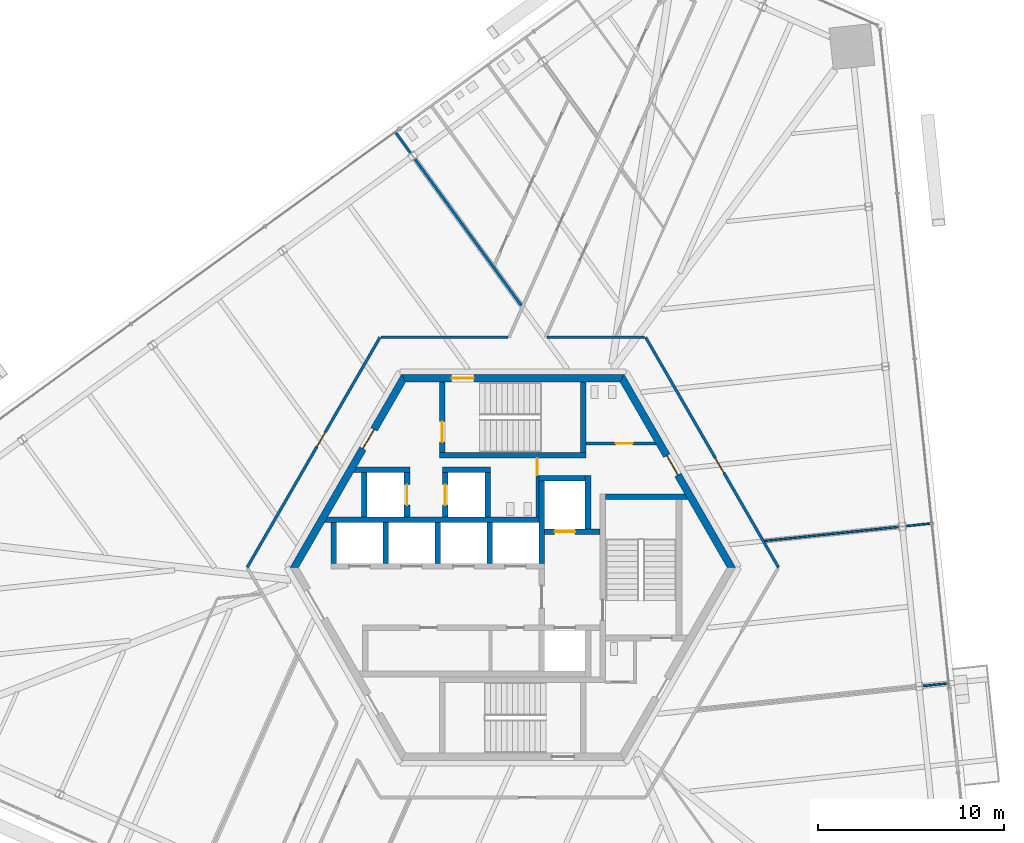
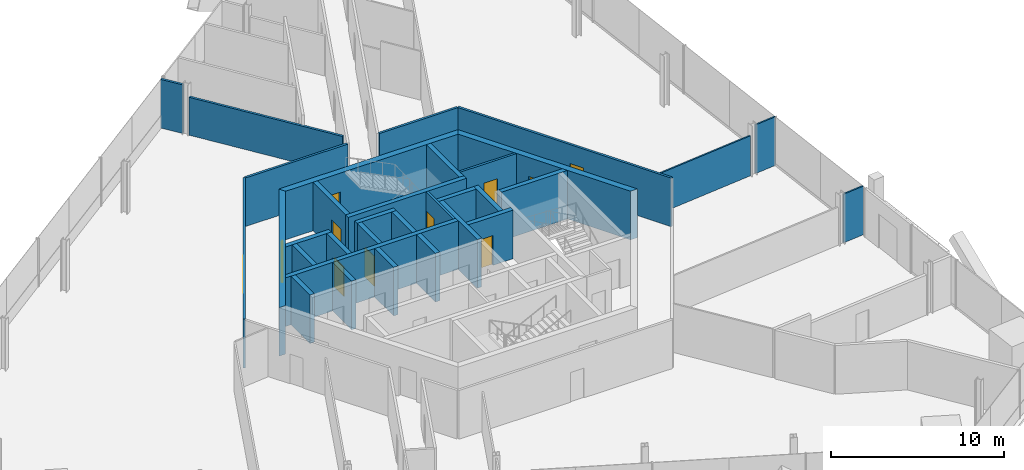
# One storey, part 12 of 17: 33 walls, 11 doors, 11 openings.
"""IFC4 building model written with IfcOpenShell, lengths in metres."""

from ifc_helpers import new_model, si_unit, direction, frame, frame_2d, origin, place, context, subcontext, project, spatial, polyline, rectangle, outline, extrude, source, transform, mapped, material, layer, layer_set, type_object, element, fill, save


model = new_model("IFC4")

# Units and contexts
model_context = context("Model", 3, precision=1e-05, world=origin(), true_north=direction((0.0, 1.0)))
body_context = subcontext(model_context, "Body", "Model", "MODEL_VIEW")
ifc_project = project(units=[si_unit("LENGTHUNIT", "METRE"), si_unit("AREAUNIT", "SQUARE_METRE"), si_unit("VOLUMEUNIT", "CUBIC_METRE"), si_unit("PLANEANGLEUNIT", "RADIAN"), si_unit("MASSUNIT", "GRAM", prefix="KILO")], contexts=[model_context])

# Site, building, storey
site_placement = place(None, origin())
site = spatial("IfcSite", under=ifc_project, at=site_placement, CompositionType="ELEMENT")
building_placement = place(site_placement, origin())
building = spatial("IfcBuilding", under=site, at=building_placement, Name="Triune Harvest Tower", CompositionType="ELEMENT")
storey_placement = place(building_placement, frame((0.0, 0.0, 62.10009765625)))
storey = spatial("IfcBuildingStorey", under=building, at=storey_placement, Name="L14", CompositionType="ELEMENT", Elevation=62.10009765625)

# Walls
ifc_material_1 = material(Name="Gypsum board on steel studs", Category="steel")
ifc_layer_1 = layer(ifc_material_1, 0.14990234375)
ifc_layer_set_1 = layer_set([ifc_layer_1], Name="Gypsum board on steel studs")
wall_type_1 = type_object("IfcWallType", Name="Fire Partition 150 mm", PredefinedType="PARTITIONING", material=ifc_layer_set_1)
wall_1_placement = place(storey_placement, frame((-5.2802734375, 22.004638671875, 0.0), z_axis=(0.0, 0.0, 1.0), x_axis=(0.587784693137, -0.809017400625, 0.0)))
element("IfcWall", 1, at=wall_1_placement, inside=storey, type_object=wall_type_1, Name="Partition L14 008", PredefinedType="PARTITIONING", context=body_context, shape_type="SweptSolid", body=[
    extrude(rectangle(XDim=9.754150390625, YDim=0.14990234375, at=frame_2d((4.876953125, 0.0))), origin(), (0.0, 0.0, 1.0), 2.682861328125),
])
wall_2_placement = place(storey_placement, frame((1.851806640625, 12.392333984375, 0.0), z_axis=(0.0, 0.0, 1.0), x_axis=(1.0, 0.0, 0.0)))
element("IfcWall", 2, at=wall_2_placement, inside=storey, type_object=wall_type_1, Name="Partition L14 021", PredefinedType="PARTITIONING", context=body_context, shape_type="SweptSolid", body=[
    extrude(rectangle(XDim=5.2529296875, YDim=0.14990234375, at=frame_2d((2.62646484375, 0.0))), origin(), (0.0, 0.0, 1.0), 3.43994140625),
])

# Wall, opening, door
ifc_material_2 = material(Name="Concrete 70 MPa", Category="concrete")
ifc_layer_2 = layer(ifc_material_2, 0.39990234375)
ifc_layer_set_2 = layer_set([ifc_layer_2], Name="Concrete 70 MPa")
wall_type_2 = type_object("IfcWallType", Name="Core wall 400", PredefinedType="SHEAR", material=ifc_layer_set_2)
shared_shape_1 = source(origin(), body_context, "Body", "SweptSolid", [
    extrude(outline(polyline([(-0.115478515625, -0.199951171875), (11.884521484375, -0.199951171875), (11.653564453125, 0.199951171875), (0.115478515625, 0.199951171875), (-0.115478515625, -0.199951171875)])), origin(), (0.0, 0.0, 1.0), 3.43994140625),
])
wall_3_placement = place(storey_placement, frame((11.76904296875, 0.0, 0.0), z_axis=(0.0, 0.0, 1.0), x_axis=(-0.499996592174, 0.866027371285, 0.0)))
wall_3 = element("IfcWall", 3, at=wall_3_placement, inside=storey, type_object=wall_type_2, Name="Hexagon 0 wall", PredefinedType="SHEAR", context=body_context, shape_type="MappedRepresentation", body=[
    mapped(shared_shape_1, transform((0.0, 0.0, 0.0), scale=1.0)),
])
opening_1_placement = place(wall_3_placement, frame((5.75048828125, 0.0, 0.0)))
opening_1 = element("IfcOpeningElement", 4, at=opening_1_placement, cuts=wall_3, Name="Opening CD-WCP", PredefinedType="OPENING", context=body_context, shape_type="SweptSolid", body=[
    extrude(rectangle(XDim=1.199951171875, YDim=2.10009765625, at=frame_2d((0.60009765625, 1.050048828125))), frame((0.0, 0.2099609375, 0.0), z_axis=(0.0, -1.0, 0.0), x_axis=(1.0, 0.0, 0.0)), (0.0, 0.0, 1.0), 0.419921875),
])
ifc_material_3 = material(Name="Steel S235", Category="steel")
door_type_1 = type_object("IfcDoorType", Name="Lobby door 1200 FD120", OperationType="SINGLE_SWING_LEFT", PredefinedType="DOOR", material=ifc_material_3)
door_1_placement = place(opening_1_placement, frame((1.199951171875, 0.0, 0.0), z_axis=(0.0, 0.0, 1.0), x_axis=(-1.0, 0.0, 0.0)))
door_1 = element("IfcDoor", 5, at=door_1_placement, inside=storey, type_object=door_type_1, Name="Door CD-WCP", OperationType="SINGLE_SWING_RIGHT", OverallHeight=2.10009765625, OverallWidth=1.199951171875, PredefinedType="DOOR", context=body_context, shape_type="SweptSolid", body=[
    extrude(rectangle(XDim=1.199951171875, YDim=2.10009765625, at=frame_2d((0.60009765625, 1.050048828125))), frame((0.0, 0.02490234375, 0.0), z_axis=(0.0, -1.0, 0.0), x_axis=(1.0, 0.0, 0.0)), (0.0, 0.0, 1.0), 0.050048828125),
])
fill(opening_1, door_1)

wall_4_placement = place(storey_placement, frame((5.884521484375, 10.1923828125, 0.0), z_axis=(0.0, 0.0, 1.0), x_axis=(-1.0, 0.0, 0.0)))
wall_4 = element("IfcWall", 6, at=wall_4_placement, inside=storey, type_object=wall_type_2, Name="Hexagon 1 wall", PredefinedType="SHEAR", context=body_context, shape_type="MappedRepresentation", body=[
    mapped(shared_shape_1, transform((0.0, 0.0, 0.0), scale=1.0)),
])
opening_2_placement = place(wall_4_placement, frame((7.984619140625, 0.0, 0.0)))
opening_2 = element("IfcOpeningElement", 7, at=opening_2_placement, cuts=wall_4, Name="Opening CD-S1P", PredefinedType="OPENING", context=body_context, shape_type="SweptSolid", body=[
    extrude(rectangle(XDim=1.199951171875, YDim=2.10009765625, at=frame_2d((0.60009765625, 1.050048828125))), frame((0.0, 0.2099609375, 0.0), z_axis=(0.0, -1.0, 0.0), x_axis=(1.0, 0.0, 0.0)), (0.0, 0.0, 1.0), 0.419921875),
])
ifc_material_4 = material(Name="Steel S235", Category="steel")
door_type_2 = type_object("IfcDoorType", Name="Stair door 1200 FD120", OperationType="SINGLE_SWING_LEFT", PredefinedType="DOOR", material=ifc_material_4)
door_2_placement = place(opening_2_placement, frame((1.199951171875, 0.0, 0.0), z_axis=(0.0, 0.0, 1.0), x_axis=(-1.0, 0.0, 0.0)))
door_2 = element("IfcDoor", 8, at=door_2_placement, inside=storey, type_object=door_type_2, Name="Door CD-S1P", OperationType="SINGLE_SWING_RIGHT", OverallHeight=2.10009765625, OverallWidth=1.199951171875, PredefinedType="DOOR", context=body_context, shape_type="SweptSolid", body=[
    extrude(rectangle(XDim=1.199951171875, YDim=2.10009765625, at=frame_2d((0.60009765625, 1.050048828125))), frame((0.0, 0.02490234375, 0.0), z_axis=(0.0, -1.0, 0.0), x_axis=(1.0, 0.0, 0.0)), (0.0, 0.0, 1.0), 0.050048828125),
])
fill(opening_2, door_2)

wall_5_placement = place(storey_placement, frame((-5.884521484375, 10.1923828125, 0.0), z_axis=(0.0, 0.0, 1.0), x_axis=(-0.499996592174, -0.866027371285, 0.0)))
wall_5 = element("IfcWall", 9, at=wall_5_placement, inside=storey, type_object=wall_type_2, Name="Hexagon 2 wall", PredefinedType="SHEAR", context=body_context, shape_type="MappedRepresentation", body=[
    mapped(shared_shape_1, transform((0.0, 0.0, 0.0), scale=1.0)),
])
opening_3_placement = place(wall_5_placement, frame((3.1845703125, 0.0, 0.0)))
opening_3 = element("IfcOpeningElement", 10, at=opening_3_placement, cuts=wall_5, Name="Opening CD-SVP", PredefinedType="OPENING", context=body_context, shape_type="SweptSolid", body=[
    extrude(rectangle(XDim=1.199951171875, YDim=2.10009765625, at=frame_2d((0.60009765625, 1.050048828125))), frame((0.0, 0.2099609375, 0.0), z_axis=(0.0, -1.0, 0.0), x_axis=(1.0, 0.0, 0.0)), (0.0, 0.0, 1.0), 0.419921875),
])
ifc_material_5 = material(Name="Steel S235", Category="steel")
door_type_3 = type_object("IfcDoorType", Name="Service door 1200 FD120", OperationType="SINGLE_SWING_LEFT", PredefinedType="DOOR", material=ifc_material_5)
door_3_placement = place(opening_3_placement, frame((1.199951171875, 0.0, 0.0), z_axis=(0.0, 0.0, 1.0), x_axis=(-1.0, 0.0, 0.0)))
door_3 = element("IfcDoor", 11, at=door_3_placement, inside=storey, type_object=door_type_3, Name="Door CD-SVP", OperationType="SINGLE_SWING_RIGHT", OverallHeight=2.10009765625, OverallWidth=1.199951171875, PredefinedType="DOOR", context=body_context, shape_type="SweptSolid", body=[
    extrude(rectangle(XDim=1.199951171875, YDim=2.10009765625, at=frame_2d((0.60009765625, 1.050048828125))), frame((0.0, 0.02490234375, 0.0), z_axis=(0.0, -1.0, 0.0), x_axis=(1.0, 0.0, 0.0)), (0.0, 0.0, 1.0), 0.050048828125),
])
fill(opening_3, door_3)

# Walls
ifc_material_6 = material(Name="Concrete 70 MPa", Category="concrete")
ifc_layer_3 = layer(ifc_material_6, 0.300048828125)
ifc_layer_set_3 = layer_set([ifc_layer_3], Name="Concrete 70 MPa")
wall_type_3 = type_object("IfcWallType", Name="Core wall 300", PredefinedType="SHEAR", material=ifc_layer_set_3)
shared_shape_2 = source(origin(), body_context, "Body", "SweptSolid", [
    extrude(outline(polyline([(11.199951171875, -0.14990234375), (-0.34912109375, -0.14990234375), (-0.17578125, 0.14990234375), (11.199951171875, 0.14990234375), (11.199951171875, -0.14990234375)])), origin(), (0.0, 0.0, 1.0), 3.43994140625),
])
wall_6_placement = place(storey_placement, frame((-9.800048828125, 2.56005859375, 0.0), z_axis=(0.0, 0.0, 1.0), x_axis=(1.0, 0.0, 0.0)))
element("IfcWall", 12, at=wall_6_placement, inside=storey, type_object=wall_type_3, Name="North back wall", PredefinedType="SHEAR", context=body_context, shape_type="MappedRepresentation", body=[
    mapped(shared_shape_2, transform((0.0, 0.0, 0.0), scale=1.0)),
])
shared_shape_3 = source(origin(), body_context, "Body", "SweptSolid", [
    extrude(rectangle(XDim=2.5, YDim=0.300048828125, at=frame_2d((1.25, 0.0))), origin(), (0.0, 0.0, 1.0), 3.43994140625),
])
wall_7_placement = place(storey_placement, frame((1.39990234375, 4.81005859375, 0.0), z_axis=(0.0, 0.0, 1.0), x_axis=(1.0, 0.0, 0.0)))
element("IfcWall", 13, at=wall_7_placement, inside=storey, type_object=wall_type_3, Name="Ff1 back wall", PredefinedType="SHEAR", context=body_context, shape_type="MappedRepresentation", body=[
    mapped(shared_shape_3, transform((0.0, 0.0, 0.0), scale=1.0)),
])
shared_shape_4 = source(origin(), body_context, "Body", "SweptSolid", [
    extrude(rectangle(XDim=4.449951171875, YDim=0.300048828125, at=frame_2d((2.22509765625, 0.0))), origin(), (0.0, 0.0, 1.0), 3.43994140625),
])
wall_8_placement = place(storey_placement, frame((1.550048828125, 0.2099609375, 0.0), z_axis=(0.0, 0.0, 1.0), x_axis=(0.0, 1.0, 0.0)))
element("IfcWall", 14, at=wall_8_placement, inside=storey, type_object=wall_type_3, Name="Ff1 west wall", PredefinedType="SHEAR", context=body_context, shape_type="MappedRepresentation", body=[
    mapped(shared_shape_4, transform((0.0, 0.0, 0.0), scale=1.0)),
])

# Wall, opening, door
shared_shape_5 = source(origin(), body_context, "Body", "SweptSolid", [
    extrude(rectangle(XDim=3.0, YDim=0.300048828125, at=frame_2d((1.5, 0.0))), origin(), (0.0, 0.0, 1.0), 3.43994140625),
])
wall_9_placement = place(storey_placement, frame((1.699951171875, 1.909912109375, 0.0), z_axis=(0.0, 0.0, 1.0), x_axis=(1.0, 0.0, 0.0)))
wall_9 = element("IfcWall", 15, at=wall_9_placement, inside=storey, type_object=wall_type_3, Name="Ff1 front wall", PredefinedType="SHEAR", context=body_context, shape_type="MappedRepresentation", body=[
    mapped(shared_shape_5, transform((0.0, 0.0, 0.0), scale=1.0)),
])
opening_4_placement = place(wall_9_placement, frame((0.550048828125, 0.0, 0.0)))
opening_4 = element("IfcOpeningElement", 16, at=opening_4_placement, cuts=wall_9, Name="Opening LD-FF1-14", PredefinedType="OPENING", context=body_context, shape_type="SweptSolid", body=[
    extrude(rectangle(XDim=1.10009765625, YDim=2.10009765625, at=frame_2d((0.550048828125, 1.050048828125))), frame((0.0, 0.16015625, 0.0), z_axis=(0.0, -1.0, 0.0), x_axis=(1.0, 0.0, 0.0)), (0.0, 0.0, 1.0), 0.320068359375),
])
ifc_material_7 = material(Name="Stainless steel AISI 304", Category="steel")
door_type_4 = type_object("IfcDoorType", Name="Landing door 1100 x 2100", OperationType="DOUBLE_DOOR_SLIDING", PredefinedType="DOOR", material=ifc_material_7)
door_4_placement = place(opening_4_placement, origin())
door_4 = element("IfcDoor", 17, at=door_4_placement, inside=storey, type_object=door_type_4, Name="Door LD-FF1-14", OperationType="DOUBLE_DOOR_SLIDING", OverallHeight=2.10009765625, OverallWidth=1.10009765625, PredefinedType="DOOR", context=body_context, shape_type="SweptSolid", body=[
    extrude(rectangle(XDim=1.10009765625, YDim=2.10009765625, at=frame_2d((0.550048828125, 1.050048828125))), frame((0.0, 0.02490234375, 0.0), z_axis=(0.0, -1.0, 0.0), x_axis=(1.0, 0.0, 0.0)), (0.0, 0.0, 1.0), 0.050048828125),
])
fill(opening_4, door_4)

# Walls
shared_shape_6 = source(origin(), body_context, "Body", "SweptSolid", [
    extrude(rectangle(XDim=2.89990234375, YDim=0.300048828125, at=frame_2d((1.449951171875, 0.0))), origin(), (0.0, 0.0, 1.0), 3.43994140625),
])
wall_10_placement = place(storey_placement, frame((4.050048828125, 2.06005859375, 0.0), z_axis=(0.0, 0.0, 1.0), x_axis=(0.0, 1.0, 0.0)))
element("IfcWall", 18, at=wall_10_placement, inside=storey, type_object=wall_type_3, Name="Ff1 east wall", PredefinedType="SHEAR", context=body_context, shape_type="MappedRepresentation", body=[
    mapped(shared_shape_6, transform((0.0, 0.0, 0.0), scale=1.0)),
])
shared_shape_7 = source(origin(), body_context, "Body", "SweptSolid", [
    extrude(rectangle(XDim=2.199951171875, YDim=0.300048828125, at=frame_2d((1.10009765625, 0.0))), origin(), (0.0, 0.0, 1.0), 3.43994140625),
])
for number, where, z_axis, x_axis, name in (
    (19, (-9.64990234375, 0.2099609375, 0.0), (0.0, 0.0, 1.0), (0.0, 1.0, 0.0), "North end west wall"),
    (20, (-6.85009765625, 0.2099609375, 0.0), (0.0, 0.0, 1.0), (0.0, 1.0, 0.0), "North cross 1 wall"),
    (21, (-4.050048828125, 0.2099609375, 0.0), (0.0, 0.0, 1.0), (0.0, 1.0, 0.0), "North cross 2 wall"),
    (22, (-1.25, 0.2099609375, 0.0), (0.0, 0.0, 1.0), (0.0, 1.0, 0.0), "North cross 3 wall"),
):
    element("IfcWall", number, at=place(storey_placement, frame(where, z_axis=z_axis, x_axis=x_axis)), inside=storey, type_object=wall_type_3, Name=name, PredefinedType="SHEAR", context=body_context, shape_type="MappedRepresentation", body=[
        mapped(shared_shape_7, transform((0.0, 0.0, 0.0), scale=1.0)),
    ])
shared_shape_8 = source(origin(), body_context, "Body", "SweptSolid", [
    extrude(outline(polyline([(0.0, -0.14990234375), (0.0, 0.14990234375), (4.260009765625, 0.14990234375), (4.43310546875, -0.14990234375), (0.0, -0.14990234375)])), origin(), (0.0, 0.0, 1.0), 3.43994140625),
])
wall_11_placement = place(storey_placement, frame((5.0, 3.800048828125, 0.0), z_axis=(0.0, 0.0, 1.0), x_axis=(1.0, 0.0, 0.0)))
element("IfcWall", 23, at=wall_11_placement, inside=storey, type_object=wall_type_3, Name="Stair e north wall", PredefinedType="SHEAR", context=body_context, shape_type="MappedRepresentation", body=[
    mapped(shared_shape_8, transform((0.0, 0.0, 0.0), scale=1.0)),
])
shared_shape_9 = source(origin(), body_context, "Body", "SweptSolid", [
    extrude(rectangle(XDim=7.89990234375, YDim=0.300048828125, at=frame_2d((3.949951171875, 0.0))), origin(), (0.0, 0.0, 1.0), 3.43994140625),
])
wall_12_placement = place(storey_placement, frame((-3.949951171875, 6.0400390625, 0.0), z_axis=(0.0, 0.0, 1.0), x_axis=(1.0, 0.0, 0.0)))
element("IfcWall", 24, at=wall_12_placement, inside=storey, type_object=wall_type_3, Name="Stair n south wall", PredefinedType="SHEAR", context=body_context, shape_type="MappedRepresentation", body=[
    mapped(shared_shape_9, transform((0.0, 0.0, 0.0), scale=1.0)),
])

# Wall, opening, door
shared_shape_10 = source(origin(), body_context, "Body", "SweptSolid", [
    extrude(outline(polyline([(0.0, -0.14990234375), (0.0, 0.14990234375), (3.80419921875, 0.14990234375), (3.80419921875, -0.14990234375), (0.0, -0.14990234375)])), origin(), (0.0, 0.0, 1.0), 3.43994140625),
])
wall_13_placement = place(storey_placement, frame((-3.800048828125, 6.18994140625, 0.0), z_axis=(0.0, 0.0, 1.0), x_axis=(0.0, 1.0, 0.0)))
wall_13 = element("IfcWall", 25, at=wall_13_placement, inside=storey, type_object=wall_type_3, Name="Stair n west wall", PredefinedType="SHEAR", context=body_context, shape_type="MappedRepresentation", body=[
    mapped(shared_shape_10, transform((0.0, 0.0, 0.0), scale=1.0)),
])
opening_5_placement = place(wall_13_placement, frame((0.56005859375, 0.0, 0.0)))
opening_5 = element("IfcOpeningElement", 26, at=opening_5_placement, cuts=wall_13, Name="Opening CD-S1L", PredefinedType="OPENING", context=body_context, shape_type="SweptSolid", body=[
    extrude(rectangle(XDim=1.10009765625, YDim=2.10009765625, at=frame_2d((0.550048828125, 1.050048828125))), frame((0.0, 0.16015625, 0.0), z_axis=(0.0, -1.0, 0.0), x_axis=(1.0, 0.0, 0.0)), (0.0, 0.0, 1.0), 0.320068359375),
])
ifc_material_8 = material(Name="Steel S235", Category="steel")
door_type_5 = type_object("IfcDoorType", Name="Stair door 1100 FD120", OperationType="SINGLE_SWING_LEFT", PredefinedType="DOOR", material=ifc_material_8)
door_5_placement = place(opening_5_placement, frame((1.10009765625, 0.0, 0.0), z_axis=(0.0, 0.0, 1.0), x_axis=(-1.0, 0.0, 0.0)))
door_5 = element("IfcDoor", 27, at=door_5_placement, inside=storey, type_object=door_type_5, Name="Door CD-S1L", OperationType="SINGLE_SWING_RIGHT", OverallHeight=2.10009765625, OverallWidth=1.10009765625, PredefinedType="DOOR", context=body_context, shape_type="SweptSolid", body=[
    extrude(rectangle(XDim=1.10009765625, YDim=2.10009765625, at=frame_2d((0.550048828125, 1.050048828125))), frame((0.0, 0.02490234375, 0.0), z_axis=(0.0, -1.0, 0.0), x_axis=(1.0, 0.0, 0.0)), (0.0, 0.0, 1.0), 0.050048828125),
])
fill(opening_5, door_5)

# Walls
wall_14_placement = place(storey_placement, frame((3.800048828125, 6.18994140625, 0.0), z_axis=(0.0, 0.0, 1.0), x_axis=(0.0, 1.0, 0.0)))
element("IfcWall", 28, at=wall_14_placement, inside=storey, type_object=wall_type_3, Name="Stair n east wall", PredefinedType="SHEAR", context=body_context, shape_type="MappedRepresentation", body=[
    mapped(shared_shape_10, transform((0.0, 0.0, 0.0), scale=1.0)),
])
shared_shape_11 = source(origin(), body_context, "Body", "SweptSolid", [
    extrude(outline(polyline([(2.60009765625, -0.14990234375), (-0.440185546875, -0.14990234375), (-0.26708984375, 0.14990234375), (2.60009765625, 0.14990234375), (2.60009765625, -0.14990234375)])), origin(), (0.0, 0.0, 1.0), 3.43994140625),
])
wall_15_placement = place(storey_placement, frame((-8.14990234375, 5.260009765625, 0.0), z_axis=(0.0, 0.0, 1.0), x_axis=(1.0, 0.0, 0.0)))
element("IfcWall", 29, at=wall_15_placement, inside=storey, type_object=wall_type_3, Name="Sv1 north wall", PredefinedType="SHEAR", context=body_context, shape_type="MappedRepresentation", body=[
    mapped(shared_shape_11, transform((0.0, 0.0, 0.0), scale=1.0)),
])
shared_shape_12 = source(origin(), body_context, "Body", "SweptSolid", [
    extrude(rectangle(XDim=2.400146484375, YDim=0.300048828125, at=frame_2d((1.2001953125, 0.0))), origin(), (0.0, 0.0, 1.0), 3.43994140625),
])
wall_16_placement = place(storey_placement, frame((-8.0, 2.7099609375, 0.0), z_axis=(0.0, 0.0, 1.0), x_axis=(0.0, 1.0, 0.0)))
element("IfcWall", 30, at=wall_16_placement, inside=storey, type_object=wall_type_3, Name="Sv1 west wall", PredefinedType="SHEAR", context=body_context, shape_type="MappedRepresentation", body=[
    mapped(shared_shape_12, transform((0.0, 0.0, 0.0), scale=1.0)),
])

# Wall, opening, door
wall_17_placement = place(storey_placement, frame((-5.699951171875, 2.7099609375, 0.0), z_axis=(0.0, 0.0, 1.0), x_axis=(0.0, 1.0, 0.0)))
wall_17 = element("IfcWall", 31, at=wall_17_placement, inside=storey, type_object=wall_type_3, Name="Sv1 east wall", PredefinedType="SHEAR", context=body_context, shape_type="MappedRepresentation", body=[
    mapped(shared_shape_12, transform((0.0, 0.0, 0.0), scale=1.0)),
])
opening_6_placement = place(wall_17_placement, frame((0.64990234375, 0.0, 0.0)))
opening_6 = element("IfcOpeningElement", 32, at=opening_6_placement, cuts=wall_17, Name="Opening LD-SV1-14", PredefinedType="OPENING", context=body_context, shape_type="SweptSolid", body=[
    extrude(rectangle(XDim=1.10009765625, YDim=2.10009765625, at=frame_2d((0.550048828125, 1.050048828125))), frame((0.0, 0.16015625, 0.0), z_axis=(0.0, -1.0, 0.0), x_axis=(1.0, 0.0, 0.0)), (0.0, 0.0, 1.0), 0.320068359375),
])
door_6_placement = place(opening_6_placement, origin())
door_6 = element("IfcDoor", 33, at=door_6_placement, inside=storey, type_object=door_type_4, Name="Door LD-SV1-14", OperationType="DOUBLE_DOOR_SLIDING", OverallHeight=2.10009765625, OverallWidth=1.10009765625, PredefinedType="DOOR", context=body_context, shape_type="SweptSolid", body=[
    extrude(rectangle(XDim=1.10009765625, YDim=2.10009765625, at=frame_2d((0.550048828125, 1.050048828125))), frame((0.0, 0.02490234375, 0.0), z_axis=(0.0, -1.0, 0.0), x_axis=(1.0, 0.0, 0.0)), (0.0, 0.0, 1.0), 0.050048828125),
])
fill(opening_6, door_6)

wall_18_placement = place(storey_placement, frame((-3.64990234375, 2.7099609375, 0.0), z_axis=(0.0, 0.0, 1.0), x_axis=(0.0, 1.0, 0.0)))
wall_18 = element("IfcWall", 34, at=wall_18_placement, inside=storey, type_object=wall_type_3, Name="Sv2 west wall", PredefinedType="SHEAR", context=body_context, shape_type="MappedRepresentation", body=[
    mapped(shared_shape_12, transform((0.0, 0.0, 0.0), scale=1.0)),
])
opening_7_placement = place(wall_18_placement, frame((0.64990234375, 0.0, 0.0)))
opening_7 = element("IfcOpeningElement", 35, at=opening_7_placement, cuts=wall_18, Name="Opening LD-SV2-14", PredefinedType="OPENING", context=body_context, shape_type="SweptSolid", body=[
    extrude(rectangle(XDim=1.10009765625, YDim=2.10009765625, at=frame_2d((0.550048828125, 1.050048828125))), frame((0.0, 0.16015625, 0.0), z_axis=(0.0, -1.0, 0.0), x_axis=(1.0, 0.0, 0.0)), (0.0, 0.0, 1.0), 0.320068359375),
])
door_7_placement = place(opening_7_placement, origin())
door_7 = element("IfcDoor", 36, at=door_7_placement, inside=storey, type_object=door_type_4, Name="Door LD-SV2-14", OperationType="DOUBLE_DOOR_SLIDING", OverallHeight=2.10009765625, OverallWidth=1.10009765625, PredefinedType="DOOR", context=body_context, shape_type="SweptSolid", body=[
    extrude(rectangle(XDim=1.10009765625, YDim=2.10009765625, at=frame_2d((0.550048828125, 1.050048828125))), frame((0.0, 0.02490234375, 0.0), z_axis=(0.0, -1.0, 0.0), x_axis=(1.0, 0.0, 0.0)), (0.0, 0.0, 1.0), 0.050048828125),
])
fill(opening_7, door_7)

# Walls
wall_19_placement = place(storey_placement, frame((-1.35009765625, 2.7099609375, 0.0), z_axis=(0.0, 0.0, 1.0), x_axis=(0.0, 1.0, 0.0)))
element("IfcWall", 37, at=wall_19_placement, inside=storey, type_object=wall_type_3, Name="Sv2 east wall", PredefinedType="SHEAR", context=body_context, shape_type="MappedRepresentation", body=[
    mapped(shared_shape_12, transform((0.0, 0.0, 0.0), scale=1.0)),
])
shared_shape_13 = source(origin(), body_context, "Body", "SweptSolid", [
    extrude(rectangle(XDim=2.60009765625, YDim=0.300048828125, at=frame_2d((1.300048828125, 0.0))), origin(), (0.0, 0.0, 1.0), 3.43994140625),
])
wall_20_placement = place(storey_placement, frame((-3.800048828125, 5.260009765625, 0.0), z_axis=(0.0, 0.0, 1.0), x_axis=(1.0, 0.0, 0.0)))
element("IfcWall", 38, at=wall_20_placement, inside=storey, type_object=wall_type_3, Name="Sv2 north wall", PredefinedType="SHEAR", context=body_context, shape_type="MappedRepresentation", body=[
    mapped(shared_shape_13, transform((0.0, 0.0, 0.0), scale=1.0)),
])

# Wall, opening, door
ifc_material_9 = material(Name="Concrete masonry unit", Category="masonry")
ifc_layer_4 = layer(ifc_material_9, 0.14990234375)
ifc_layer_set_4 = layer_set([ifc_layer_4], Name="Concrete masonry unit")
wall_type_4 = type_object("IfcWallType", Name="Block partition 150 unrated", PredefinedType="PARTITIONING", material=ifc_layer_set_4)
shared_shape_14 = source(origin(), body_context, "Body", "SweptSolid", [
    extrude(rectangle(XDim=3.179931640625, YDim=0.14990234375, at=frame_2d((1.58984375, 0.0))), origin(), (0.0, 0.0, 1.0), 3.43994140625),
])
wall_21_placement = place(storey_placement, frame((1.324951171875, 2.7099609375, 0.0), z_axis=(0.0, 0.0, 1.0), x_axis=(0.0, 1.0, 0.0)))
wall_21 = element("IfcWall", 39, at=wall_21_placement, inside=storey, type_object=wall_type_4, Name="Wc men east wall", PredefinedType="PARTITIONING", context=body_context, shape_type="MappedRepresentation", body=[
    mapped(shared_shape_14, transform((0.0, 0.0, 0.0), scale=1.0)),
])
opening_8_placement = place(wall_21_placement, frame((2.264892578125, 0.0, 0.0)))
opening_8 = element("IfcOpeningElement", 40, at=opening_8_placement, cuts=wall_21, Name="Opening CD-WM", PredefinedType="OPENING", context=body_context, shape_type="SweptSolid", body=[
    extrude(rectangle(XDim=0.89990234375, YDim=2.10009765625, at=frame_2d((0.449951171875, 1.050048828125))), frame((0.0, 0.0849609375, 0.0), z_axis=(0.0, -1.0, 0.0), x_axis=(1.0, 0.0, 0.0)), (0.0, 0.0, 1.0), 0.169921875),
])
ifc_material_10 = material(Name="Timber C24", Category="wood")
door_type_6 = type_object("IfcDoorType", Name="WC door 900", OperationType="SINGLE_SWING_LEFT", PredefinedType="DOOR", material=ifc_material_10)
door_8_placement = place(opening_8_placement, origin())
door_8 = element("IfcDoor", 41, at=door_8_placement, inside=storey, type_object=door_type_6, Name="Door CD-WM", OperationType="SINGLE_SWING_LEFT", OverallHeight=2.10009765625, OverallWidth=0.89990234375, PredefinedType="DOOR", context=body_context, shape_type="SweptSolid", body=[
    extrude(rectangle(XDim=0.89990234375, YDim=2.10009765625, at=frame_2d((0.449951171875, 1.050048828125))), frame((0.0, 0.02490234375, 0.0), z_axis=(0.0, -1.0, 0.0), x_axis=(1.0, 0.0, 0.0)), (0.0, 0.0, 1.0), 0.050048828125),
])
fill(opening_8, door_8)

shared_shape_15 = source(origin(), body_context, "Body", "SweptSolid", [
    extrude(outline(polyline([(0.0, -0.074951171875), (0.0, 0.074951171875), (3.693359375, 0.074951171875), (3.77978515625, -0.074951171875), (0.0, -0.074951171875)])), origin(), (0.0, 0.0, 1.0), 3.43994140625),
])
wall_22_placement = place(storey_placement, frame((3.949951171875, 6.675048828125, 0.0), z_axis=(0.0, 0.0, 1.0), x_axis=(1.0, 0.0, 0.0)))
wall_22 = element("IfcWall", 42, at=wall_22_placement, inside=storey, type_object=wall_type_4, Name="Wc women south wall", PredefinedType="PARTITIONING", context=body_context, shape_type="MappedRepresentation", body=[
    mapped(shared_shape_15, transform((0.0, 0.0, 0.0), scale=1.0)),
])
opening_9_placement = place(wall_22_placement, frame((1.60009765625, 0.0, 0.0)))
opening_9 = element("IfcOpeningElement", 43, at=opening_9_placement, cuts=wall_22, Name="Opening CD-WW", PredefinedType="OPENING", context=body_context, shape_type="SweptSolid", body=[
    extrude(rectangle(XDim=0.89990234375, YDim=2.10009765625, at=frame_2d((0.449951171875, 1.050048828125))), frame((0.0, 0.0849609375, 0.0), z_axis=(0.0, -1.0, 0.0), x_axis=(1.0, 0.0, 0.0)), (0.0, 0.0, 1.0), 0.169921875),
])
door_9_placement = place(opening_9_placement, origin())
door_9 = element("IfcDoor", 44, at=door_9_placement, inside=storey, type_object=door_type_6, Name="Door CD-WW", OperationType="SINGLE_SWING_LEFT", OverallHeight=2.10009765625, OverallWidth=0.89990234375, PredefinedType="DOOR", context=body_context, shape_type="SweptSolid", body=[
    extrude(rectangle(XDim=0.89990234375, YDim=2.10009765625, at=frame_2d((0.449951171875, 1.050048828125))), frame((0.0, 0.02490234375, 0.0), z_axis=(0.0, -1.0, 0.0), x_axis=(1.0, 0.0, 0.0)), (0.0, 0.0, 1.0), 0.050048828125),
])
fill(opening_9, door_9)

shared_shape_16 = source(origin(), body_context, "Body", "SweptSolid", [
    extrude(rectangle(XDim=14.309326171875, YDim=0.14990234375, at=frame_2d((7.15478515625, 0.0))), origin(), (0.0, 0.0, 1.0), 3.43994140625),
])
wall_23_placement = place(storey_placement, frame((7.15478515625, 12.392333984375, 0.0), z_axis=(0.0, 0.0, 1.0), x_axis=(0.499990757089, -0.866030740116, 0.0)))
wall_23 = element("IfcWall", 45, at=wall_23_placement, inside=storey, type_object=wall_type_1, Name="Partition L14 003", PredefinedType="PARTITIONING", context=body_context, shape_type="MappedRepresentation", body=[
    mapped(shared_shape_16, transform((0.0, 0.0, 0.0), scale=1.0)),
])
opening_10_placement = place(wall_23_placement, frame((7.52197265625, 0.0, 0.0)))
opening_10 = element("IfcOpeningElement", 46, at=opening_10_placement, cuts=wall_23, Name="Opening L14-004", PredefinedType="OPENING", context=body_context, shape_type="SweptSolid", body=[
    extrude(rectangle(XDim=0.89990234375, YDim=2.10009765625, at=frame_2d((0.449951171875, 1.050048828125))), frame((0.0, 0.0849609375, 0.0), z_axis=(0.0, -1.0, 0.0), x_axis=(1.0, 0.0, 0.0)), (0.0, 0.0, 1.0), 0.169921875),
])
ifc_material_11 = material(Name="Timber and steel door set", Category="steel")
door_type_7 = type_object("IfcDoorType", Name="Single leaf door FD30 right hand 900 x 2100", OperationType="SINGLE_SWING_RIGHT", PredefinedType="DOOR", material=ifc_material_11)
door_10_placement = place(opening_10_placement, origin())
door_10 = element("IfcDoor", 47, at=door_10_placement, inside=storey, type_object=door_type_7, Name="Door L14-004 Food Laboratory 14.04", OperationType="SINGLE_SWING_RIGHT", OverallHeight=2.10009765625, OverallWidth=0.89990234375, PredefinedType="DOOR", context=body_context, shape_type="SweptSolid", body=[
    extrude(rectangle(XDim=0.89990234375, YDim=2.10009765625, at=frame_2d((0.449951171875, 1.050048828125))), frame((0.0, 0.02490234375, 0.0), z_axis=(0.0, -1.0, 0.0), x_axis=(1.0, 0.0, 0.0)), (0.0, 0.0, 1.0), 0.050048828125),
])
fill(opening_10, door_10)

wall_24_placement = place(storey_placement, frame((-14.309326171875, 0.0, 0.0), z_axis=(0.0, 0.0, 1.0), x_axis=(0.499990757089, 0.866030740116, 0.0)))
wall_24 = element("IfcWall", 48, at=wall_24_placement, inside=storey, type_object=wall_type_1, Name="Partition L14 031", PredefinedType="PARTITIONING", context=body_context, shape_type="MappedRepresentation", body=[
    mapped(shared_shape_16, transform((0.0, 0.0, 0.0), scale=1.0)),
])
opening_11_placement = place(wall_24_placement, frame((7.522216796875, 0.0, 0.0)))
opening_11 = element("IfcOpeningElement", 49, at=opening_11_placement, cuts=wall_24, Name="Opening L14-014", PredefinedType="OPENING", context=body_context, shape_type="SweptSolid", body=[
    extrude(rectangle(XDim=0.89990234375, YDim=2.10009765625, at=frame_2d((0.449951171875, 1.050048828125))), frame((0.0, 0.0849609375, 0.0), z_axis=(0.0, -1.0, 0.0), x_axis=(1.0, 0.0, 0.0)), (0.0, 0.0, 1.0), 0.169921875),
])
door_11_placement = place(opening_11_placement, origin())
door_11 = element("IfcDoor", 50, at=door_11_placement, inside=storey, type_object=door_type_7, Name="Door L14-014 Open Office 14.14", OperationType="SINGLE_SWING_RIGHT", OverallHeight=2.10009765625, OverallWidth=0.89990234375, PredefinedType="DOOR", context=body_context, shape_type="SweptSolid", body=[
    extrude(rectangle(XDim=0.89990234375, YDim=2.10009765625, at=frame_2d((0.449951171875, 1.050048828125))), frame((0.0, 0.02490234375, 0.0), z_axis=(0.0, -1.0, 0.0), x_axis=(1.0, 0.0, 0.0)), (0.0, 0.0, 1.0), 0.050048828125),
])
fill(opening_11, door_11)

# Walls
shared_shape_17 = source(origin(), body_context, "Body", "SweptSolid", [
    extrude(rectangle(XDim=1.41845703125, YDim=0.14990234375, at=frame_2d((0.709228515625, 0.0))), origin(), (0.0, 0.0, 1.0), 3.43994140625),
])
wall_25_placement = place(storey_placement, frame((-6.33349609375, 23.454345703125, 0.0), z_axis=(0.0, 0.0, 1.0), x_axis=(0.587813429905, -0.808996521392, 0.0)))
element("IfcWall", 51, at=wall_25_placement, inside=storey, type_object=wall_type_1, Name="Partition L14 007", PredefinedType="PARTITIONING", context=body_context, shape_type="MappedRepresentation", body=[
    mapped(shared_shape_17, transform((0.0, 0.0, 0.0), scale=1.0)),
])
shared_shape_18 = source(origin(), body_context, "Body", "SweptSolid", [
    extrude(rectangle(XDim=6.845947265625, YDim=0.14990234375, at=frame_2d((3.4228515625, 0.0))), origin(), (0.0, 0.0, 1.0), 3.43994140625),
])
wall_26_placement = place(storey_placement, frame((-7.104736328125, 12.392333984375, 0.0), z_axis=(0.0, 0.0, 1.0), x_axis=(1.0, 0.0, 0.0)))
element("IfcWall", 52, at=wall_26_placement, inside=storey, type_object=wall_type_1, Name="Partition L14 020", PredefinedType="PARTITIONING", context=body_context, shape_type="MappedRepresentation", body=[
    mapped(shared_shape_18, transform((0.0, 0.0, 0.0), scale=1.0)),
])
ifc_material_12 = material(Name="Gypsum board on steel studs", Category="steel")
ifc_layer_5 = layer(ifc_material_12, 0.10009765625)
ifc_layer_set_5 = layer_set([ifc_layer_5], Name="Gypsum board on steel studs")
wall_type_5 = type_object("IfcWallType", Name="Partition 100 mm", PredefinedType="PARTITIONING", material=ifc_layer_set_5)
shared_shape_19 = source(origin(), body_context, "Body", "SweptSolid", [
    extrude(rectangle(XDim=1.41845703125, YDim=0.10009765625, at=frame_2d((0.709228515625, 0.0))), origin(), (0.0, 0.0, 1.0), 3.43994140625),
])
wall_27_placement = place(storey_placement, frame((21.162841796875, 2.224365234375, 0.0), z_axis=(0.0, 0.0, 1.0), x_axis=(0.994527123793, 0.104478706151, 0.0)))
element("IfcWall", 53, at=wall_27_placement, inside=storey, type_object=wall_type_5, Name="Partition L14 028", PredefinedType="PARTITIONING", context=body_context, shape_type="MappedRepresentation", body=[
    mapped(shared_shape_19, transform((0.0, 0.0, 0.0), scale=1.0)),
])
shared_shape_20 = source(origin(), body_context, "Body", "SweptSolid", [
    extrude(rectangle(XDim=1.418701171875, YDim=0.10009765625, at=frame_2d((0.70947265625, 0.0))), origin(), (0.0, 0.0, 1.0), 3.43994140625),
])
wall_28_placement = place(storey_placement, frame((22.068115234375, -6.390380859375, 0.0), z_axis=(0.0, 0.0, 1.0), x_axis=(0.994529002172, 0.104460824419, 0.0)))
element("IfcWall", 54, at=wall_28_placement, inside=storey, type_object=wall_type_5, Name="Partition L14 025", PredefinedType="PARTITIONING", context=body_context, shape_type="MappedRepresentation", body=[
    mapped(shared_shape_20, transform((0.0, 0.0, 0.0), scale=1.0)),
])
shared_shape_21 = source(origin(), body_context, "Body", "SweptSolid", [
    extrude(rectangle(XDim=7.2607421875, YDim=0.10009765625, at=frame_2d((3.63037109375, 0.0))), origin(), (0.0, 0.0, 1.0), 2.82763671875),
])
wall_29_placement = place(storey_placement, frame((13.5703125, 1.426513671875, 0.0), z_axis=(0.0, 0.0, 1.0), x_axis=(0.994524230001, 0.10450624833, 0.0)))
element("IfcWall", 55, at=wall_29_placement, inside=storey, type_object=wall_type_5, Name="Partition L14 027", PredefinedType="PARTITIONING", context=body_context, shape_type="MappedRepresentation", body=[
    mapped(shared_shape_21, transform((0.0, 0.0, 0.0), scale=1.0)),
])

save(model, "model.ifc")
